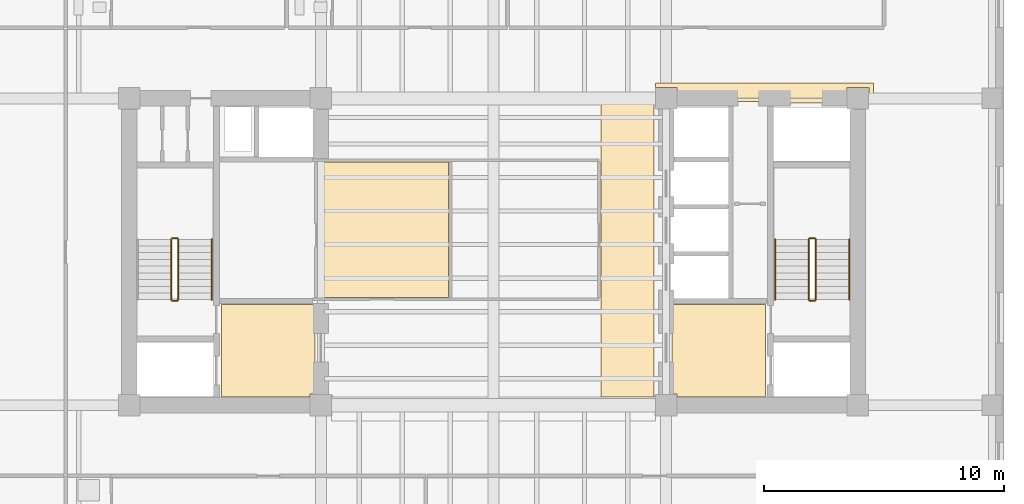
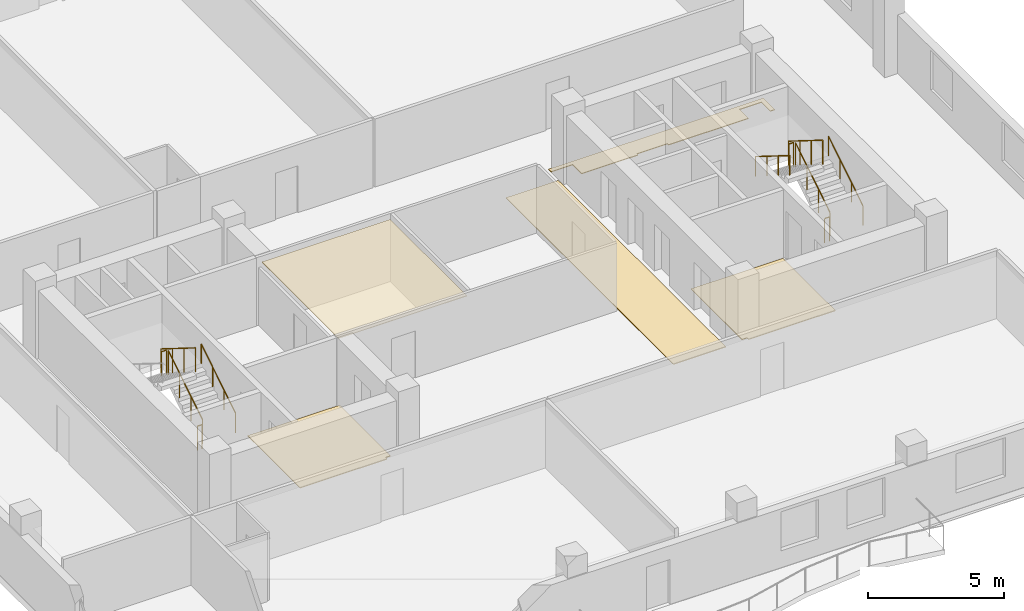
# One storey, part 7 of 9: 11 railings, 5 coverings.
"""IFC4 building model written with IfcOpenShell, lengths in metres."""

from ifc_helpers import new_model, si_unit, direction, frame, origin, origin_2d, place, context, subcontext, project, spatial, polyline, circle, outline, extrude, material, layer, layer_set, type_object, element, save


model = new_model("IFC4")

# Units and contexts
model_context = context("Model", 3, precision=1e-05, world=origin(), true_north=direction((0.0, 1.0)))
body_context = subcontext(model_context, "Body", "Model", "MODEL_VIEW")
ifc_project = project(units=[si_unit("LENGTHUNIT", "METRE"), si_unit("AREAUNIT", "SQUARE_METRE"), si_unit("VOLUMEUNIT", "CUBIC_METRE"), si_unit("PLANEANGLEUNIT", "RADIAN"), si_unit("MASSUNIT", "GRAM", prefix="KILO")], contexts=[model_context])

# Site, building, storey
site_placement = place(None, origin())
site = spatial("IfcSite", under=ifc_project, at=site_placement, CompositionType="ELEMENT")
building_placement = place(site_placement, origin())
building = spatial("IfcBuilding", under=site, at=building_placement, Name="Kranthara Brick Stack", CompositionType="ELEMENT")
storey_placement = place(building_placement, frame((0.0, 0.0, 193.800048828125)))
storey = spatial("IfcBuildingStorey", under=building, at=storey_placement, Name="L50", CompositionType="ELEMENT", Elevation=193.800048828125)

# Coverings
ifc_material_1 = material(Name="Perforated mineral-fibre acoustic ceiling tile", Category="other")
ifc_layer_1 = layer(ifc_material_1, 0.02490234375)
ifc_layer_set_1 = layer_set([ifc_layer_1], Name="Perforated mineral-fibre acoustic ceiling tile")
covering_type_1 = type_object("IfcCoveringType", Name="COV-CEIL-ACOUSTIC", PredefinedType="CEILING", material=ifc_layer_set_1)
covering_1_placement = place(storey_placement, frame((0.0, 0.0, 2.780029296875)))
element("IfcCovering", 1, at=covering_1_placement, inside=storey, type_object=covering_type_1, Name="L50 L50 Hotel Tea Salon Acoustic Ceiling", PredefinedType="CEILING", context=body_context, shape_type="SweptSolid", body=[
    extrude(outline(polyline([(26.1201171875, 25.300048828125), (26.1201171875, 30.93994140625), (20.679931640625, 30.93994140625), (20.679931640625, 25.300048828125), (26.1201171875, 25.300048828125)])), origin(), (0.0, 0.0, 1.0), 0.02490234375),
])
ifc_material_2 = material(Name="Honed terrazzo and porcelain floor finish", Category="stone")
ifc_layer_2 = layer(ifc_material_2, 0.030029296875)
ifc_layer_set_2 = layer_set([ifc_layer_2], Name="Honed terrazzo and porcelain floor finish")
covering_type_2 = type_object("IfcCoveringType", Name="COV-FLOR-STONE", PredefinedType="FLOORING", material=ifc_layer_set_2)
covering_2_placement = place(storey_placement, origin())
element("IfcCovering", 2, at=covering_2_placement, inside=storey, type_object=covering_type_2, Name="L50 Lift Lobby Stone Flooring", PredefinedType="FLOORING", context=body_context, shape_type="SweptSolid", body=[
    extrude(outline(polyline([(16.64990234375, 21.14990234375), (16.64990234375, 25.0), (20.550048828125, 25.0), (20.550048828125, 21.260009765625), (20.340087890625, 21.260009765625), (20.340087890625, 21.14990234375), (16.64990234375, 21.14990234375)])), origin(), (0.0, 0.0, 1.0), 0.030029296875),
])
covering_3_placement = place(storey_placement, origin())
element("IfcCovering", 3, at=covering_3_placement, inside=storey, type_object=covering_type_2, Name="L50 Lift Lobby Stone Flooring", PredefinedType="FLOORING", context=body_context, shape_type="SweptSolid", body=[
    extrude(outline(polyline([(35.449951171875, 25.0), (39.35009765625, 25.0), (39.35009765625, 21.14990234375), (35.659912109375, 21.14990234375), (35.659912109375, 21.260009765625), (35.449951171875, 21.260009765625), (35.449951171875, 25.0)])), origin(), (0.0, 0.0, 1.0), 0.030029296875),
])
covering_4_placement = place(storey_placement, origin())
element("IfcCovering", 4, at=covering_4_placement, inside=storey, type_object=covering_type_2, Name="L50 Lift Lobby Stone Flooring", PredefinedType="FLOORING", context=body_context, shape_type="SweptSolid", body=[
    extrude(outline(polyline([(34.699951171875, 21.14990234375), (34.699951171875, 33.449951171875), (32.47998046875, 33.449951171875), (32.47998046875, 21.14990234375), (34.699951171875, 21.14990234375)])), origin(), (0.0, 0.0, 1.0), 0.030029296875),
])
covering_5_placement = place(storey_placement, origin())
element("IfcCovering", 5, at=covering_5_placement, inside=storey, type_object=covering_type_2, Name="L50 Lift Lobby Stone Flooring", PredefinedType="FLOORING", context=body_context, shape_type="SweptSolid", body=[
    extrude(outline(polyline([(43.659912109375, 33.39990234375), (43.659912109375, 34.06005859375), (42.739990234375, 34.06005859375), (42.739990234375, 33.39990234375), (39.35009765625, 33.39990234375), (39.35009765625, 33.47998046875), (38.050048828125, 33.47998046875), (38.050048828125, 33.39990234375), (35.659912109375, 33.39990234375), (35.659912109375, 34.06005859375), (34.75, 34.06005859375), (34.75, 34.25), (43.85009765625, 34.25), (43.85009765625, 33.39990234375), (43.659912109375, 33.39990234375)])), origin(), (0.0, 0.0, 1.0), 0.030029296875),
])

# Railings
ifc_material_3 = material(Name="Painted galvanized steel stair guardrail", Category="steel")
railing_type_1 = type_object("IfcRailingType", Name="RL-STAIR-GUARD-1100", PredefinedType="GUARDRAIL", material=ifc_material_3)
railing_1_placement = place(storey_placement, frame((14.85009765625, 25.199951171875, 0.175048828125)))
element("IfcRailing", 6, at=railing_1_placement, inside=storey, type_object=railing_type_1, Name="L50 ST01 stair guard 1", PredefinedType="GUARDRAIL", context=body_context, shape_type="SweptSolid", body=[
    extrude(circle(Radius=0.02392578125, at=origin_2d()), frame((0.0, 0.0, 1.076171875), z_axis=(0.0, 0.848007534815, 0.529984170421), x_axis=(-1.0, 0.0, 0.0)), (0.0, 0.0, 1.0), 2.9716796875),
    extrude(circle(Radius=0.02099609375, at=origin_2d()), origin(), (0.0, 0.0, 1.0), 1.052001953125),
    extrude(circle(Radius=0.02099609375, at=origin_2d()), frame((0.0, 0.840087890625, 0.52490234375)), (0.0, 0.0, 1.0), 1.052001953125),
    extrude(circle(Radius=0.02099609375, at=origin_2d()), frame((0.0, 1.679931640625, 1.050048828125)), (0.0, 0.0, 1.0), 1.052001953125),
    extrude(circle(Radius=0.02099609375, at=origin_2d()), frame((0.0, 2.52001953125, 1.574951171875)), (0.0, 0.0, 1.0), 1.052001953125),
])
railing_2_placement = place(storey_placement, frame((14.800048828125, 27.77001953125, 1.75)))
element("IfcRailing", 7, at=railing_2_placement, inside=storey, type_object=railing_type_1, Name="L50 ST01 stair guard 2", PredefinedType="GUARDRAIL", context=body_context, shape_type="SweptSolid", body=[
    extrude(circle(Radius=0.02392578125, at=origin_2d()), frame((0.0, 0.0, 1.076171875), z_axis=(-1.0, 0.0, 0.0), x_axis=(0.0, -1.0, 0.0)), (0.0, 0.0, 1.0), 0.199951171875),
    extrude(circle(Radius=0.02099609375, at=origin_2d()), origin(), (0.0, 0.0, 1.0), 1.052001953125),
    extrude(circle(Radius=0.02099609375, at=origin_2d()), frame((-0.199951171875, 0.0, 0.0)), (0.0, 0.0, 1.0), 1.052001953125),
])
railing_3_placement = place(storey_placement, frame((14.550048828125, 27.719970703125, 1.925048828125)))
element("IfcRailing", 8, at=railing_3_placement, inside=storey, type_object=railing_type_1, Name="L50 ST01 stair guard 3", PredefinedType="GUARDRAIL", context=body_context, shape_type="SweptSolid", body=[
    extrude(circle(Radius=0.02392578125, at=origin_2d()), frame((0.0, 0.0, 1.076171875), z_axis=(0.0, -0.848007534815, 0.529984170421), x_axis=(1.0, 0.0, 0.0)), (0.0, 0.0, 1.0), 2.9716796875),
    extrude(circle(Radius=0.02099609375, at=origin_2d()), origin(), (0.0, 0.0, 1.0), 1.052001953125),
    extrude(circle(Radius=0.02099609375, at=origin_2d()), frame((0.0, -0.840087890625, 0.52490234375)), (0.0, 0.0, 1.0), 1.052001953125),
    extrude(circle(Radius=0.02099609375, at=origin_2d()), frame((0.0, -1.679931640625, 1.050048828125)), (0.0, 0.0, 1.0), 1.052001953125),
    extrude(circle(Radius=0.02099609375, at=origin_2d()), frame((0.0, -2.52001953125, 1.574951171875)), (0.0, 0.0, 1.0), 1.052001953125),
])
railing_4_placement = place(storey_placement, frame((14.800048828125, 25.14990234375, 0.0)))
element("IfcRailing", 9, at=railing_4_placement, inside=storey, type_object=railing_type_1, Name="L50 ST01 stair guard 4", PredefinedType="GUARDRAIL", context=body_context, shape_type="SweptSolid", body=[
    extrude(circle(Radius=0.02392578125, at=origin_2d()), frame((0.0, 0.0, 1.076171875), z_axis=(-1.0, 0.0, 0.0), x_axis=(0.0, -1.0, 0.0)), (0.0, 0.0, 1.0), 0.199951171875),
    extrude(circle(Radius=0.02099609375, at=origin_2d()), origin(), (0.0, 0.0, 1.0), 1.052001953125),
    extrude(circle(Radius=0.02099609375, at=origin_2d()), frame((-0.199951171875, 0.0, 0.0)), (0.0, 0.0, 1.0), 1.052001953125),
])
railing_5_placement = place(storey_placement, frame((41.449951171875, 25.199951171875, 0.175048828125)))
element("IfcRailing", 10, at=railing_5_placement, inside=storey, type_object=railing_type_1, Name="L50 ST02 stair guard 1", PredefinedType="GUARDRAIL", context=body_context, shape_type="SweptSolid", body=[
    extrude(circle(Radius=0.02392578125, at=origin_2d()), frame((0.0, 0.0, 1.076171875), z_axis=(0.0, 0.848007534815, 0.529984170421), x_axis=(-1.0, 0.0, 0.0)), (0.0, 0.0, 1.0), 2.9716796875),
    extrude(circle(Radius=0.02099609375, at=origin_2d()), origin(), (0.0, 0.0, 1.0), 1.052001953125),
    extrude(circle(Radius=0.02099609375, at=origin_2d()), frame((0.0, 0.840087890625, 0.52490234375)), (0.0, 0.0, 1.0), 1.052001953125),
    extrude(circle(Radius=0.02099609375, at=origin_2d()), frame((0.0, 1.679931640625, 1.050048828125)), (0.0, 0.0, 1.0), 1.052001953125),
    extrude(circle(Radius=0.02099609375, at=origin_2d()), frame((0.0, 2.52001953125, 1.574951171875)), (0.0, 0.0, 1.0), 1.052001953125),
])
railing_6_placement = place(storey_placement, frame((41.39990234375, 27.77001953125, 1.75)))
element("IfcRailing", 11, at=railing_6_placement, inside=storey, type_object=railing_type_1, Name="L50 ST02 stair guard 2", PredefinedType="GUARDRAIL", context=body_context, shape_type="SweptSolid", body=[
    extrude(circle(Radius=0.02392578125, at=origin_2d()), frame((0.0, 0.0, 1.076171875), z_axis=(-1.0, 0.0, 0.0), x_axis=(0.0, -1.0, 0.0)), (0.0, 0.0, 1.0), 0.199951171875),
    extrude(circle(Radius=0.02099609375, at=origin_2d()), origin(), (0.0, 0.0, 1.0), 1.052001953125),
    extrude(circle(Radius=0.02099609375, at=origin_2d()), frame((-0.199951171875, 0.0, 0.0)), (0.0, 0.0, 1.0), 1.052001953125),
])
railing_7_placement = place(storey_placement, frame((41.14990234375, 27.719970703125, 1.925048828125)))
element("IfcRailing", 12, at=railing_7_placement, inside=storey, type_object=railing_type_1, Name="L50 ST02 stair guard 3", PredefinedType="GUARDRAIL", context=body_context, shape_type="SweptSolid", body=[
    extrude(circle(Radius=0.02392578125, at=origin_2d()), frame((0.0, 0.0, 1.076171875), z_axis=(0.0, -0.848007534815, 0.529984170421), x_axis=(1.0, 0.0, 0.0)), (0.0, 0.0, 1.0), 2.9716796875),
    extrude(circle(Radius=0.02099609375, at=origin_2d()), origin(), (0.0, 0.0, 1.0), 1.052001953125),
    extrude(circle(Radius=0.02099609375, at=origin_2d()), frame((0.0, -0.840087890625, 0.52490234375)), (0.0, 0.0, 1.0), 1.052001953125),
    extrude(circle(Radius=0.02099609375, at=origin_2d()), frame((0.0, -1.679931640625, 1.050048828125)), (0.0, 0.0, 1.0), 1.052001953125),
    extrude(circle(Radius=0.02099609375, at=origin_2d()), frame((0.0, -2.52001953125, 1.574951171875)), (0.0, 0.0, 1.0), 1.052001953125),
])
railing_8_placement = place(storey_placement, frame((41.39990234375, 25.14990234375, 0.0)))
element("IfcRailing", 13, at=railing_8_placement, inside=storey, type_object=railing_type_1, Name="L50 ST02 stair guard 4", PredefinedType="GUARDRAIL", context=body_context, shape_type="SweptSolid", body=[
    extrude(circle(Radius=0.02392578125, at=origin_2d()), frame((0.0, 0.0, 1.076171875), z_axis=(-1.0, 0.0, 0.0), x_axis=(0.0, -1.0, 0.0)), (0.0, 0.0, 1.0), 0.199951171875),
    extrude(circle(Radius=0.02099609375, at=origin_2d()), origin(), (0.0, 0.0, 1.0), 1.052001953125),
    extrude(circle(Radius=0.02099609375, at=origin_2d()), frame((-0.199951171875, 0.0, 0.0)), (0.0, 0.0, 1.0), 1.052001953125),
])
ifc_material_4 = material(Name="Brushed stainless steel tubular handrail", Category="steel")
railing_type_2 = type_object("IfcRailingType", Name="RL-STAIR-HAND-900", PredefinedType="HANDRAIL", material=ifc_material_4)
for number, where, name in (
    (14, (16.25, 25.199951171875, 0.175048828125), "L50 ST01 stair handrail 1"),
    (15, (42.85009765625, 25.199951171875, 0.175048828125), "L50 ST02 stair handrail 1"),
):
    element("IfcRailing", number, at=place(storey_placement, frame(where)), inside=storey, type_object=railing_type_2, Name=name, PredefinedType="HANDRAIL", context=body_context, shape_type="SweptSolid", body=[
        extrude(circle(Radius=0.02392578125, at=origin_2d()), frame((0.0, 0.0, 0.8759765625), z_axis=(0.0, 0.848007534815, 0.529984170421), x_axis=(-1.0, 0.0, 0.0)), (0.0, 0.0, 1.0), 2.9716796875),
        extrude(circle(Radius=0.02099609375, at=origin_2d()), origin(), (0.0, 0.0, 1.0), 0.851806640625),
        extrude(circle(Radius=0.02099609375, at=origin_2d()), frame((0.0, 0.840087890625, 0.52490234375)), (0.0, 0.0, 1.0), 0.851806640625),
        extrude(circle(Radius=0.02099609375, at=origin_2d()), frame((0.0, 1.679931640625, 1.050048828125)), (0.0, 0.0, 1.0), 0.851806640625),
        extrude(circle(Radius=0.02099609375, at=origin_2d()), frame((0.0, 2.52001953125, 1.574951171875)), (0.0, 0.0, 1.0), 0.851806640625),
    ])
railing_9_placement = place(storey_placement, frame((39.75, 27.719970703125, 1.925048828125)))
element("IfcRailing", 16, at=railing_9_placement, inside=storey, type_object=railing_type_2, Name="L50 ST02 stair handrail 2", PredefinedType="HANDRAIL", context=body_context, shape_type="SweptSolid", body=[
    extrude(circle(Radius=0.02392578125, at=origin_2d()), frame((0.0, 0.0, 0.8759765625), z_axis=(0.0, -0.848007534815, 0.529984170421), x_axis=(1.0, 0.0, 0.0)), (0.0, 0.0, 1.0), 2.9716796875),
    extrude(circle(Radius=0.02099609375, at=origin_2d()), origin(), (0.0, 0.0, 1.0), 0.851806640625),
    extrude(circle(Radius=0.02099609375, at=origin_2d()), frame((0.0, -0.840087890625, 0.52490234375)), (0.0, 0.0, 1.0), 0.851806640625),
    extrude(circle(Radius=0.02099609375, at=origin_2d()), frame((0.0, -1.679931640625, 1.050048828125)), (0.0, 0.0, 1.0), 0.851806640625),
    extrude(circle(Radius=0.02099609375, at=origin_2d()), frame((0.0, -2.52001953125, 1.574951171875)), (0.0, 0.0, 1.0), 0.851806640625),
])

save(model, "model.ifc")
